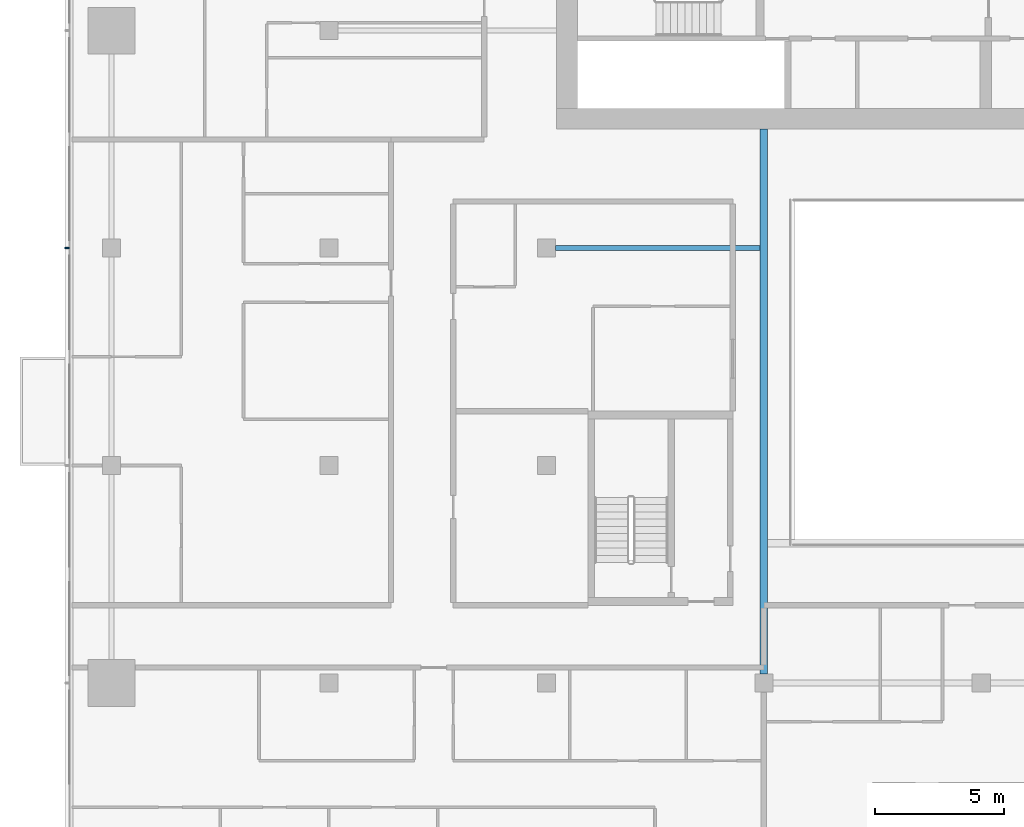
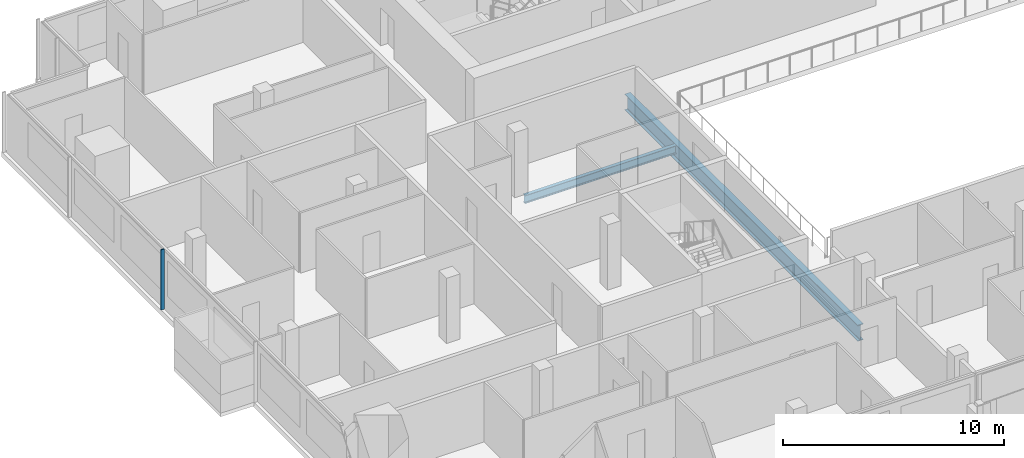
# One storey, part 4 of 27: 2 beams, 1 member, 1 element without a shape of its own.
"""IFC4 building model written with IfcOpenShell, lengths in metres."""

from ifc_helpers import new_model, si_unit, direction, frame, origin, origin_2d, place, context, subcontext, project, spatial, rectangle, i_section, extrude, material, material_profile, profile_set, type_object, element, aggregate, save


model = new_model("IFC4")

# Units and contexts
model_context = context("Model", 3, precision=1e-05, world=origin(), true_north=direction((0.0, 1.0)))
body_context = subcontext(model_context, "Body", "Model", "MODEL_VIEW")
ifc_project = project(units=[si_unit("LENGTHUNIT", "METRE"), si_unit("AREAUNIT", "SQUARE_METRE"), si_unit("VOLUMEUNIT", "CUBIC_METRE"), si_unit("PLANEANGLEUNIT", "RADIAN"), si_unit("MASSUNIT", "GRAM", prefix="KILO")], contexts=[model_context])

# Site, building, storey
site_placement = place(None, origin())
site = spatial("IfcSite", under=ifc_project, at=site_placement, CompositionType="ELEMENT")
building_placement = place(site_placement, origin())
building = spatial("IfcBuilding", under=site, at=building_placement, Name="Saffron Gate Tower", CompositionType="ELEMENT")
storey_placement = place(building_placement, frame((0.0, 0.0, 172.64990234375)))
storey = spatial("IfcBuildingStorey", under=building, at=storey_placement, Name="L42", CompositionType="ELEMENT", Elevation=172.64990234375)

# Beams
ifc_material_1 = material(Name="Structural steel S355", Category="steel")
ifc_material_profile_1 = material_profile(ifc_material_1, i_section(OverallWidth=0.300048828125, OverallDepth=0.889892578125, WebThickness=0.01611328125, FlangeThickness=0.030029296875, FilletRadius=0.030029296875, at=origin_2d()))
ifc_profile_set_1 = profile_set([ifc_material_profile_1], Name="Structural steel S355")
beam_type_1 = type_object("IfcBeamType", Name="B19 HEA 900", PredefinedType="BEAM", material=ifc_profile_set_1)
beam_1_placement = place(storey_placement, frame((75.0, 40.550048828125, -0.724853515625), z_axis=(0.0, 1.0, 0.0), x_axis=(-1.0, 0.0, 0.0)))
element("IfcBeam", 1, at=beam_1_placement, inside=storey, type_object=beam_type_1, Name="B19 ATRIUM GIRDER", PredefinedType="BEAM", context=body_context, shape_type="SweptSolid", body=[
    extrude(i_section(OverallWidth=0.300048828125, OverallDepth=0.889892578125, WebThickness=0.01611328125, FlangeThickness=0.030029296875, FilletRadius=0.030029296875, at=origin_2d()), origin(), (0.0, 0.0, 1.0), 21.050048828125),
])
ifc_material_profile_2 = material_profile(ifc_material_1, i_section(OverallWidth=0.18994140625, OverallDepth=0.449951171875, WebThickness=0.009521484375, FlangeThickness=0.0146484375, FilletRadius=0.02099609375, at=origin_2d()))
ifc_profile_set_2 = profile_set([ifc_material_profile_2], Name="Structural steel S355")
beam_type_2 = type_object("IfcBeamType", Name="B6 IPE 450", PredefinedType="BEAM", material=ifc_profile_set_2)
beam_2_placement = place(storey_placement, frame((66.949951171875, 57.0, -0.5048828125), z_axis=(1.0, 0.0, 0.0), x_axis=(0.0, 1.0, 0.0)))
element("IfcBeam", 2, at=beam_2_placement, inside=storey, type_object=beam_type_2, Name="B6 CORE TIE BEAM", PredefinedType="BEAM", context=body_context, shape_type="SweptSolid", body=[
    extrude(i_section(OverallWidth=0.18994140625, OverallDepth=0.449951171875, WebThickness=0.009521484375, FlangeThickness=0.0146484375, FilletRadius=0.02099609375, at=origin_2d()), origin(), (0.0, 0.0, 1.0), 7.900146484375),
])

# Curtain wall, member
ifc_material_2 = material(Name="Aluminium, bronze anodised", Category="aluminium")
curtain_wall_type = type_object("IfcCurtainWallType", Name="CWS2 curtain wall side facades", PredefinedType="NOTDEFINED", material=ifc_material_2)
curtain_wall_placement = place(storey_placement, origin())
curtain_wall = element("IfcCurtainWall", 3, at=curtain_wall_placement, inside=storey, type_object=curtain_wall_type, Name="CWS2 run 10", PredefinedType="NOTDEFINED")
ifc_material_profile_3 = material_profile(ifc_material_2, rectangle(XDim=0.159912109375, YDim=0.06005859375, at=origin_2d()))
ifc_profile_set_3 = profile_set([ifc_material_profile_3], Name="Aluminium, bronze anodised")
member_type = type_object("IfcMemberType", Name="CWS2 mullion 60x160", PredefinedType="MULLION", material=ifc_profile_set_3)
member_placement = place(storey_placement, frame((48.080078125, 57.0, 0.0), z_axis=(0.0, 0.0, 1.0), x_axis=(1.0, 0.0, 0.0)))
member = element("IfcMember", 4, at=member_placement, type_object=member_type, Name="CWS2 mullion 3", PredefinedType="MULLION", context=body_context, shape_type="SweptSolid", body=[
    extrude(rectangle(XDim=0.159912109375, YDim=0.06005859375, at=origin_2d()), origin(), (0.0, 0.0, 1.0), 3.320068359375),
])
aggregate(curtain_wall, [member])

save(model, "model.ifc")
